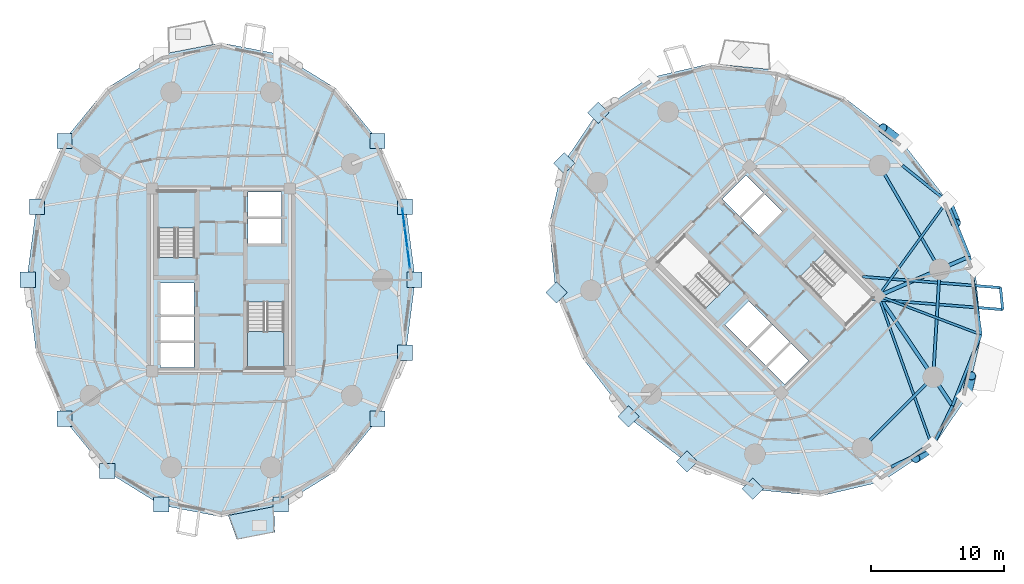
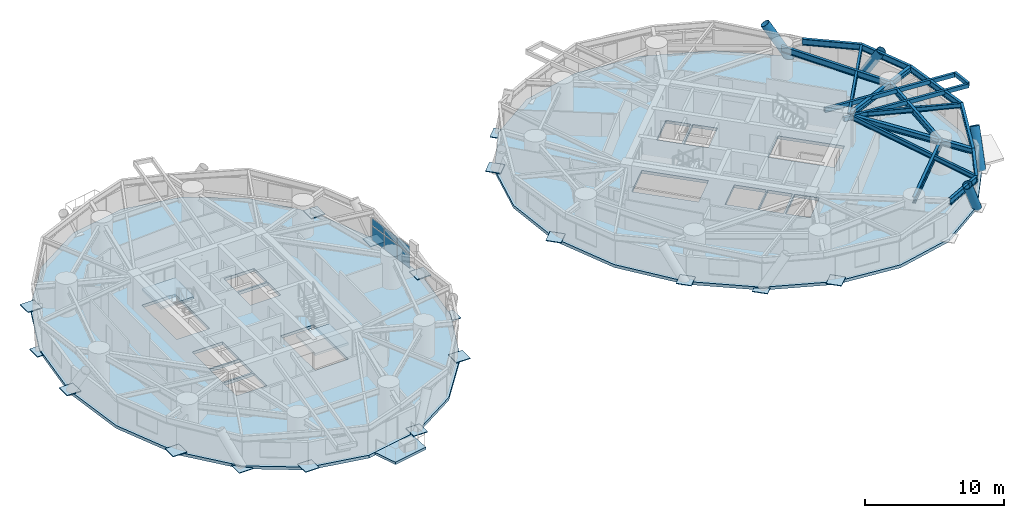
# One storey, part 8 of 18: 24 plates, 17 beams, 5 slabs, 4 members, 3 elements without a shape of their own.
"""IFC4 building model written with IfcOpenShell, lengths in metres."""

from ifc_helpers import new_model, si_unit, direction, frame, origin, origin_2d, place, context, subcontext, project, spatial, polyline, rectangle, hollow_rectangle, hollow_circle, i_section, outline, extrude, source, transform, mapped, material, layer, layer_set, material_profile, profile_set, type_object, element, aggregate, save


model = new_model("IFC4")

# Units and contexts
model_context = context("Model", 3, precision=1e-05, world=origin(), true_north=direction((0.0, 1.0)))
body_context = subcontext(model_context, "Body", "Model", "MODEL_VIEW")
ifc_project = project(units=[si_unit("LENGTHUNIT", "METRE"), si_unit("AREAUNIT", "SQUARE_METRE"), si_unit("VOLUMEUNIT", "CUBIC_METRE"), si_unit("PLANEANGLEUNIT", "RADIAN"), si_unit("MASSUNIT", "GRAM", prefix="KILO")], contexts=[model_context])

# Site, building, storey
site_placement = place(None, origin())
site = spatial("IfcSite", under=ifc_project, at=site_placement, CompositionType="ELEMENT")
building_placement = place(site_placement, origin())
building = spatial("IfcBuilding", under=site, at=building_placement, Name="Cununo Teusaquillo Station Towers", CompositionType="ELEMENT")
storey_placement = place(building_placement, frame((0.0, 0.0, 22.0)))
storey = spatial("IfcBuildingStorey", under=building, at=storey_placement, Name="L05", CompositionType="ELEMENT", Elevation=22.0)

# Beams
ifc_material_1 = material(Name="Steel EN 10025-2 S355J2", Category="steel")
ifc_material_profile_1 = material_profile(ifc_material_1, hollow_rectangle(XDim=0.199951171875, YDim=0.35009765625, WallThickness=0.013916015625, at=origin_2d()), Name="RHS 350x200x14")
ifc_profile_set_1 = profile_set([ifc_material_profile_1], Name="Steel EN 10025-2 S355J2")
beam_type_1 = type_object("IfcBeamType", Name="BM-BAL-CANT", PredefinedType="BEAM", material=ifc_profile_set_1)
beam_1_placement = place(storey_placement, frame((65.45361328125, 23.049072265625, 2.47509765625), z_axis=(0.996851966177, -0.079285292015, 0.0), x_axis=(0.079285292015, 0.996851966177, 0.0)))
element("IfcBeam", 1, at=beam_1_placement, inside=storey, type_object=beam_type_1, Name="L05 Tower B Balcony Cantilever Bracket 2A", PredefinedType="BEAM", context=body_context, shape_type="SweptSolid", body=[
    extrude(hollow_rectangle(XDim=0.199951171875, YDim=0.35009765625, WallThickness=0.013916015625, at=origin_2d()), origin(), (0.0, 0.0, 1.0), 9.958251953125),
])
beam_2_placement = place(storey_placement, frame((64.83056640625, 24.735595703125, 2.47509765625), z_axis=(0.996851384895, -0.07929260011, 0.0), x_axis=(0.07929260011, 0.996851384895, 0.0)))
element("IfcBeam", 2, at=beam_2_placement, inside=storey, type_object=beam_type_1, Name="L05 Tower B Balcony Cantilever Bracket 2B", PredefinedType="BEAM", context=body_context, shape_type="SweptSolid", body=[
    extrude(hollow_rectangle(XDim=0.199951171875, YDim=0.35009765625, WallThickness=0.013916015625, at=origin_2d()), origin(), (0.0, 0.0, 1.0), 10.419189453125),
])
ifc_material_2 = material(Name="Steel ASTM A572 Grade 50", Category="steel")
ifc_material_profile_2 = material_profile(ifc_material_2, i_section(OverallWidth=0.180908203125, OverallDepth=0.4169921875, WebThickness=0.010986328125, FlangeThickness=0.018310546875, FilletRadius=0.012939453125, at=origin_2d()), Name="W16X57")
ifc_profile_set_2 = profile_set([ifc_material_profile_2], Name="Steel ASTM A572 Grade 50")
beam_type_2 = type_object("IfcBeamType", Name="BM-JOIST-1", PredefinedType="JOIST", material=ifc_profile_set_2)
beam_3_placement = place(storey_placement, frame((66.024169921875, 23.29443359375, 2.44140625), z_axis=(0.335830426812, -0.941922462004, 0.0), x_axis=(0.941922462004, 0.335830426812, 0.0)))
element("IfcBeam", 3, at=beam_3_placement, inside=storey, type_object=beam_type_2, Name="L05 Tower B Radial Spandrel Joist V15", PredefinedType="JOIST", context=body_context, shape_type="SweptSolid", body=[
    extrude(i_section(OverallWidth=0.180908203125, OverallDepth=0.4169921875, WebThickness=0.010986328125, FlangeThickness=0.018310546875, FilletRadius=0.012939453125, at=origin_2d()), origin(), (0.0, 0.0, 1.0), 12.074951171875),
])
beam_4_placement = place(storey_placement, frame((66.024169921875, 23.29443359375, 2.44140625), z_axis=(0.935351694296, -0.353719108867, 0.0), x_axis=(0.353719108867, 0.935351694296, 0.0)))
element("IfcBeam", 4, at=beam_4_placement, inside=storey, type_object=beam_type_2, Name="L05 Tower B Radial Spandrel Joist V17", PredefinedType="JOIST", context=body_context, shape_type="SweptSolid", body=[
    extrude(i_section(OverallWidth=0.180908203125, OverallDepth=0.4169921875, WebThickness=0.010986328125, FlangeThickness=0.018310546875, FilletRadius=0.012939453125, at=origin_2d()), origin(), (0.0, 0.0, 1.0), 8.24169921875),
])
beam_5_placement = place(storey_placement, frame((66.024169921875, 23.29443359375, 2.44140625), z_axis=(0.587127729658, 0.80949430453, 0.0), x_axis=(-0.80949430453, 0.587127729658, 0.0)))
element("IfcBeam", 5, at=beam_5_placement, inside=storey, type_object=beam_type_2, Name="L05 Tower B Radial Spandrel Joist V19", PredefinedType="JOIST", context=body_context, shape_type="SweptSolid", body=[
    extrude(i_section(OverallWidth=0.180908203125, OverallDepth=0.4169921875, WebThickness=0.010986328125, FlangeThickness=0.018310546875, FilletRadius=0.012939453125, at=origin_2d()), origin(), (0.0, 0.0, 1.0), 8.792236328125),
])
ifc_material_3 = material(Name="Steel ASTM A572 Grade 50", Category="steel")
ifc_material_profile_3 = material_profile(ifc_material_3, i_section(OverallWidth=0.280029296875, OverallDepth=0.462890625, WebThickness=0.0107421875, FlangeThickness=0.017333984375, FilletRadius=0.013916015625, at=origin_2d()), Name="W18X76")
ifc_profile_set_3 = profile_set([ifc_material_profile_3], Name="Steel ASTM A572 Grade 50")
beam_type_3 = type_object("IfcBeamType", Name="BM-RAD-G1", PredefinedType="BEAM", material=ifc_profile_set_3)
beam_6_placement = place(storey_placement, frame((66.024169921875, 23.29443359375, 2.41845703125), z_axis=(0.558566040042, -0.829460052631, 0.0), x_axis=(0.829460052631, 0.558566040042, 0.0)))
element("IfcBeam", 6, at=beam_6_placement, inside=storey, type_object=beam_type_3, Name="L05 Tower B Continuous Overhanging Radial Girder 09", PredefinedType="BEAM", context=body_context, shape_type="SweptSolid", body=[
    extrude(i_section(OverallWidth=0.280029296875, OverallDepth=0.462890625, WebThickness=0.0107421875, FlangeThickness=0.017333984375, FilletRadius=0.013916015625, at=origin_2d()), origin(), (0.0, 0.0, 1.0), 9.982177734375),
])
beam_7_placement = place(storey_placement, frame((66.024169921875, 23.29443359375, 2.41845703125), z_axis=(0.917655022043, 0.397377981926, 0.0), x_axis=(-0.397377981926, 0.917655022043, 0.0)))
element("IfcBeam", 7, at=beam_7_placement, inside=storey, type_object=beam_type_3, Name="L05 Tower B Continuous Overhanging Radial Girder 10", PredefinedType="BEAM", context=body_context, shape_type="SweptSolid", body=[
    extrude(i_section(OverallWidth=0.280029296875, OverallDepth=0.462890625, WebThickness=0.0107421875, FlangeThickness=0.017333984375, FilletRadius=0.013916015625, at=origin_2d()), origin(), (0.0, 0.0, 1.0), 7.46533203125),
])
ifc_material_4 = material(Name="Steel ASTM A572 Grade 50", Category="steel")
ifc_material_profile_4 = material_profile(ifc_material_4, i_section(OverallWidth=0.214111328125, OverallDepth=0.549072265625, WebThickness=0.0146484375, FlangeThickness=0.023681640625, FilletRadius=0.014892578125, at=origin_2d()), Name="W21X93")
ifc_profile_set_4 = profile_set([ifc_material_profile_4], Name="Steel ASTM A572 Grade 50")
beam_type_4 = type_object("IfcBeamType", Name="BM-RING-Z1", PredefinedType="SPANDREL", material=ifc_profile_set_4)
beam_8_placement = place(storey_placement, frame((64.826904296875, 11.853759765625, 2.37548828125), z_axis=(0.707106781187, 0.707106781187, 0.0), x_axis=(-0.707106781187, 0.707106781187, 0.0)))
element("IfcBeam", 8, at=beam_8_placement, inside=storey, type_object=beam_type_4, Name="L05 Tower B Structural Column Ring Girder 08", PredefinedType="SPANDREL", context=body_context, shape_type="SweptSolid", body=[
    extrude(i_section(OverallWidth=0.214111328125, OverallDepth=0.549072265625, WebThickness=0.0146484375, FlangeThickness=0.023681640625, FilletRadius=0.014892578125, at=origin_2d()), origin(), (0.0, 0.0, 1.0), 7.522705078125),
])
beam_9_placement = place(storey_placement, frame((70.146240234375, 17.173095703125, 2.37548828125), z_axis=(0.06012979176, 0.998190567048, 0.0), x_axis=(-0.998190567048, 0.06012979176, 0.0)))
element("IfcBeam", 9, at=beam_9_placement, inside=storey, type_object=beam_type_4, Name="L05 Tower B Structural Column Ring Girder 09", PredefinedType="SPANDREL", context=body_context, shape_type="SweptSolid", body=[
    extrude(i_section(OverallWidth=0.214111328125, OverallDepth=0.549072265625, WebThickness=0.0146484375, FlangeThickness=0.023681640625, FilletRadius=0.014892578125, at=origin_2d()), origin(), (0.0, 0.0, 1.0), 8.132568359375),
])
beam_10_placement = place(storey_placement, frame((70.63525390625, 25.291015625, 2.37548828125), z_axis=(-0.501311121078, 0.865267103202, 0.0), x_axis=(-0.865267103202, -0.501311121078, 0.0)))
element("IfcBeam", 10, at=beam_10_placement, inside=storey, type_object=beam_type_4, Name="L05 Tower B Structural Column Ring Girder 10", PredefinedType="SPANDREL", context=body_context, shape_type="SweptSolid", body=[
    extrude(i_section(OverallWidth=0.214111328125, OverallDepth=0.549072265625, WebThickness=0.0146484375, FlangeThickness=0.023681640625, FilletRadius=0.014892578125, at=origin_2d()), origin(), (0.0, 0.0, 1.0), 9.032958984375),
])
for number, where, z_axis, x_axis, name in (
    (11, (66.9853515625, 10.400146484375, 2.37548828125), (0.89747957949, 0.4410560105, 0.0), (-0.4410560105, 0.89747957949, 0.0), "L05 Tower B Spandrel Ring Beam 15"),
    (12, (70.079345703125, 11.920654296875, 2.37548828125), (0.4410560105, 0.89747957949, 0.0), (-0.89747957949, 0.4410560105, 0.0), "L05 Tower B Spandrel Ring Beam 16"),
):
    element("IfcBeam", number, at=place(storey_placement, frame(where, z_axis=z_axis, x_axis=x_axis)), inside=storey, type_object=beam_type_4, Name=name, PredefinedType="SPANDREL", context=body_context, shape_type="SweptSolid", body=[
        extrude(i_section(OverallWidth=0.214111328125, OverallDepth=0.549072265625, WebThickness=0.0146484375, FlangeThickness=0.023681640625, FilletRadius=0.014892578125, at=origin_2d()), origin(), (0.0, 0.0, 1.0), 3.447509765625),
    ])
beam_11_placement = place(storey_placement, frame((71.599853515625, 15.0146484375, 2.37548828125), z_axis=(0.369523366373, 0.929221438466, 0.0), x_axis=(-0.929221438466, 0.369523366373, 0.0)))
element("IfcBeam", 13, at=beam_11_placement, inside=storey, type_object=beam_type_4, Name="L05 Tower B Spandrel Ring Beam 17", PredefinedType="SPANDREL", context=body_context, shape_type="SweptSolid", body=[
    extrude(i_section(OverallWidth=0.214111328125, OverallDepth=0.549072265625, WebThickness=0.0146484375, FlangeThickness=0.023681640625, FilletRadius=0.014892578125, at=origin_2d()), origin(), (0.0, 0.0, 1.0), 5.773193359375),
])
beam_12_placement = place(storey_placement, frame((73.733154296875, 20.379150390625, 2.37548828125), z_axis=(-0.144410786586, 0.989517824356, 0.0), x_axis=(-0.989517824356, -0.144410786586, 0.0)))
element("IfcBeam", 14, at=beam_12_placement, inside=storey, type_object=beam_type_4, Name="L05 Tower B Spandrel Ring Beam 18", PredefinedType="SPANDREL", context=body_context, shape_type="SweptSolid", body=[
    extrude(i_section(OverallWidth=0.214111328125, OverallDepth=0.549072265625, WebThickness=0.0146484375, FlangeThickness=0.023681640625, FilletRadius=0.014892578125, at=origin_2d()), origin(), (0.0, 0.0, 1.0), 5.944091796875),
])
beam_13_placement = place(storey_placement, frame((72.874755859375, 26.260986328125, 2.37548828125), z_axis=(-0.376813976218, 0.926288954553, 0.0), x_axis=(-0.926288954553, -0.376813976218, 0.0)))
element("IfcBeam", 15, at=beam_13_placement, inside=storey, type_object=beam_type_4, Name="L05 Tower B Spandrel Ring Beam 19", PredefinedType="SPANDREL", context=body_context, shape_type="SweptSolid", body=[
    extrude(i_section(OverallWidth=0.214111328125, OverallDepth=0.549072265625, WebThickness=0.0146484375, FlangeThickness=0.023681640625, FilletRadius=0.014892578125, at=origin_2d()), origin(), (0.0, 0.0, 1.0), 4.48095703125),
])
beam_14_placement = place(storey_placement, frame((71.186279296875, 30.41162109375, 2.37548828125), z_axis=(-0.779218846052, 0.626751936541, 0.0), x_axis=(-0.626751936541, -0.779218846052, 0.0)))
element("IfcBeam", 16, at=beam_14_placement, inside=storey, type_object=beam_type_4, Name="L05 Tower B Spandrel Ring Beam 20", PredefinedType="SPANDREL", context=body_context, shape_type="SweptSolid", body=[
    extrude(i_section(OverallWidth=0.214111328125, OverallDepth=0.549072265625, WebThickness=0.0146484375, FlangeThickness=0.023681640625, FilletRadius=0.014892578125, at=origin_2d()), origin(), (0.0, 0.0, 1.0), 4.323486328125),
])
ifc_material_5 = material(Name="Steel EN 10025-2 S355J2", Category="steel")
ifc_material_profile_5 = material_profile(ifc_material_5, hollow_rectangle(XDim=0.199951171875, YDim=0.35009765625, WallThickness=0.013916015625, at=origin_2d()), Name="RHS 350x200x14")
ifc_profile_set_5 = profile_set([ifc_material_profile_5], Name="Steel EN 10025-2 S355J2")
beam_type_5 = type_object("IfcBeamType", Name="BM-STAIR-TRIM", PredefinedType="BEAM", material=ifc_profile_set_5)
beam_15_placement = place(storey_placement, frame((75.380615234375, 22.259521484375, 2.52490234375), z_axis=(-0.098658084026, 0.995121390814, 0.0), x_axis=(-0.995121390814, -0.098658084026, 0.0)))
element("IfcBeam", 17, at=beam_15_placement, inside=storey, type_object=beam_type_5, Name="L05 Tower B Balcony Edge Trimmer Beam 2", PredefinedType="BEAM", context=body_context, shape_type="SweptSolid", body=[
    extrude(hollow_rectangle(XDim=0.199951171875, YDim=0.35009765625, WallThickness=0.013916015625, at=origin_2d()), origin(), (0.0, 0.0, 1.0), 1.657958984375),
])

# Members
ifc_material_6 = material(Name="Steel EN 10025-2 S355J2", Category="steel")
ifc_material_profile_6 = material_profile(ifc_material_6, hollow_circle(Radius=0.360107421875, WallThickness=0.028076171875, at=origin_2d()), Name="CHS 720x28")
ifc_profile_set_6 = profile_set([ifc_material_profile_6], Name="Steel EN 10025-2 S355J2")
member_type = type_object("IfcMemberType", Name="MBR-DIAG-Z1", PredefinedType="BRACE", material=ifc_profile_set_6)
member_1_placement = place(storey_placement, frame((67.80322265625, 34.80322265625, -0.139892578125), z_axis=(-0.424672158483, 0.327144879926, 0.844174025511), x_axis=(-0.610266107982, -0.792196489167, 0.0)))
element("IfcMember", 18, at=member_1_placement, inside=storey, type_object=member_type, Name="L05 Tower B Folded-Zigzag Diagrid Tube C00", PredefinedType="BRACE", context=body_context, shape_type="SweptSolid", body=[
    extrude(hollow_circle(Radius=0.360107421875, WallThickness=0.028076171875, at=origin_2d()), origin(), (0.0, 0.0, 1.0), 3.447021484375),
])
member_2_placement = place(storey_placement, frame((70.079345703125, 11.920654296875, -0.139892578125), z_axis=(-0.38526306798, -0.260481507501, 0.885280606758), x_axis=(0.56010632365, -0.828420730189, 0.0)))
element("IfcMember", 19, at=member_2_placement, inside=storey, type_object=member_type, Name="L05 Tower B Folded-Zigzag Diagrid Tube C14", PredefinedType="BRACE", context=body_context, shape_type="SweptSolid", body=[
    extrude(hollow_circle(Radius=0.360107421875, WallThickness=0.028076171875, at=origin_2d()), origin(), (0.0, 0.0, 1.0), 3.287109375),
])
member_3_placement = place(storey_placement, frame((72.647705078125, 15.72021484375, -0.139892578125), z_axis=(0.109041000071, 0.468022807997, 0.876963346725), x_axis=(-0.973916822154, 0.226905318414, 0.0)))
element("IfcMember", 20, at=member_3_placement, inside=storey, type_object=member_type, Name="L05 Tower B Folded-Zigzag Diagrid Tube C16", PredefinedType="BRACE", context=body_context, shape_type="SweptSolid", body=[
    extrude(hollow_circle(Radius=0.360107421875, WallThickness=0.028076171875, at=origin_2d()), origin(), (0.0, 0.0, 1.0), 3.318115234375),
])
member_4_placement = place(storey_placement, frame((71.186279296875, 30.41162109375, -0.139892578125), z_axis=(0.19926976465, -0.484849273185, 0.851594236235), x_axis=(0.924929123977, 0.380139600173, 0.0)))
element("IfcMember", 21, at=member_4_placement, inside=storey, type_object=member_type, Name="L05 Tower B Folded-Zigzag Diagrid Tube C18", PredefinedType="BRACE", context=body_context, shape_type="SweptSolid", body=[
    extrude(hollow_circle(Radius=0.360107421875, WallThickness=0.028076171875, at=origin_2d()), origin(), (0.0, 0.0, 1.0), 3.4169921875),
])

# Slab
ifc_material_7 = material(Name="Concrete C50/60", Category="concrete")
ifc_layer_1 = layer(ifc_material_7, 0.2099609375)
ifc_layer_set_1 = layer_set([ifc_layer_1], Name="Concrete C50/60")
slab_type_1 = type_object("IfcSlabType", Name="SLB-BAL-210", PredefinedType="FLOOR", material=ifc_layer_set_1)
slab_1_placement = place(storey_placement, frame((0.0, 0.0, -0.2099609375)))
element("IfcSlab", 22, at=slab_1_placement, inside=storey, type_object=slab_type_1, Name="L05 Tower A Tree Balcony Slab 2", PredefinedType="FLOOR", context=body_context, shape_type="SweptSolid", body=[
    extrude(outline(polyline([(17.041015625, 6.74951171875), (20.482177734375, 7.414306640625), (20.55078125, 5.477294921875), (17.69873046875, 4.926025390625), (17.041015625, 6.74951171875)])), origin(), (0.0, 0.0, 1.0), 0.2099609375),
])

# Stair, slab
ifc_material_8 = material(Name="Concrete C50/60", Category="concrete")
stair_type = type_object("IfcStairType", Name="ST-TWR-1300", PredefinedType="HALF_TURN_STAIR", material=ifc_material_8)
stair_1_placement = place(storey_placement, origin())
stair_1 = element("IfcStair", 23, at=stair_1_placement, inside=storey, type_object=stair_type, Name="L05 Tower A Protected Core Exit Stair 1", PredefinedType="HALF_TURN_STAIR")
ifc_material_9 = material(Name="Concrete C50/60", Category="concrete")
ifc_layer_2 = layer(ifc_material_9, 0.199951171875)
ifc_layer_set_2 = layer_set([ifc_layer_2], Name="Concrete C50/60")
slab_type_2 = type_object("IfcSlabType", Name="SLB-STAIR-LND", PredefinedType="LANDING", material=ifc_layer_set_2)
slab_2_placement = place(storey_placement, frame((0.0, 0.0, 1.2548828125)))
slab_2 = element("IfcSlab", 24, at=slab_2_placement, type_object=slab_type_2, Name="ST-T1-1 landing 1", PredefinedType="LANDING", context=body_context, shape_type="SweptSolid", body=[
    extrude(outline(polyline([(14.52001953125, 28.409912109375), (14.52001953125, 31.159912109375), (11.760009765625, 31.159912109375), (11.760009765625, 28.409912109375), (14.52001953125, 28.409912109375)])), origin(), (0.0, 0.0, 1.0), 0.2001953125),
])
aggregate(stair_1, [slab_2])

stair_2_placement = place(storey_placement, origin())
stair_2 = element("IfcStair", 25, at=stair_2_placement, inside=storey, type_object=stair_type, Name="L05 Tower A Protected Core Exit Stair 2", PredefinedType="HALF_TURN_STAIR")
slab_3_placement = place(storey_placement, frame((0.0, 0.0, 1.2548828125)))
slab_3 = element("IfcSlab", 26, at=slab_3_placement, type_object=slab_type_2, Name="ST-T1-2 landing 1", PredefinedType="LANDING", context=body_context, shape_type="SweptSolid", body=[
    extrude(outline(polyline([(18.47998046875, 20.590087890625), (18.47998046875, 17.840087890625), (21.239990234375, 17.840087890625), (21.239990234375, 20.590087890625), (18.47998046875, 20.590087890625)])), origin(), (0.0, 0.0, 1.0), 0.2001953125),
])
aggregate(stair_2, [slab_3])

# Slabs
ifc_material_10 = material(Name="Concrete C50/60", Category="concrete")
ifc_layer_3 = layer(ifc_material_10, 0.260009765625)
ifc_layer_set_3 = layer_set([ifc_layer_3], Name="Concrete C50/60")
slab_type_3 = type_object("IfcSlabType", Name="SLB-Z1-260", PredefinedType="FLOOR", material=ifc_layer_set_3)
slab_4_placement = place(storey_placement, frame((0.0, 0.0, -0.260009765625)))
element("IfcSlab", 27, at=slab_4_placement, inside=storey, type_object=slab_type_3, Name="L05 Tower A Floor Slab", PredefinedType="FLOOR", context=body_context, shape_type="SweptSolid", body=[
    extrude(outline(polyline([(31.131103515625, 24.5), (30.414794921875, 30.01611328125), (28.336669921875, 34.991943359375), (25.099853515625, 38.94091796875), (21.021240234375, 41.476318359375), (16.5, 42.35009765625), (11.978759765625, 41.476318359375), (7.900146484375, 38.94091796875), (4.663330078125, 34.991943359375), (2.585205078125, 30.01611328125), (1.868896484375, 24.5), (2.585205078125, 18.98388671875), (4.663330078125, 14.008056640625), (7.900146484375, 10.05908203125), (11.978759765625, 7.523681640625), (16.5, 6.64990234375), (21.021240234375, 7.523681640625), (25.099853515625, 10.05908203125), (28.336669921875, 14.008056640625), (30.414794921875, 18.98388671875), (31.131103515625, 24.5)]), holes=[polyline([(14.52001953125, 26.176025390625), (14.52001953125, 31.159912109375), (11.760009765625, 31.159912109375), (11.760009765625, 26.176025390625), (14.52001953125, 26.176025390625)]), polyline([(18.47998046875, 22.823974609375), (18.47998046875, 17.840087890625), (21.239990234375, 17.840087890625), (21.239990234375, 22.823974609375), (18.47998046875, 22.823974609375)]), polyline([(11.949951171875, 21.85009765625), (14.47998046875, 21.85009765625), (14.47998046875, 24.25), (11.949951171875, 24.25), (11.949951171875, 21.85009765625)]), polyline([(11.949951171875, 17.89990234375), (14.47998046875, 17.89990234375), (14.47998046875, 19.75), (11.949951171875, 19.75), (11.949951171875, 17.89990234375)]), polyline([(11.949951171875, 19.89990234375), (14.47998046875, 19.89990234375), (14.47998046875, 21.75), (11.949951171875, 21.75), (11.949951171875, 19.89990234375)]), polyline([(18.52001953125, 27.25), (21.050048828125, 27.25), (21.050048828125, 29.10009765625), (18.52001953125, 29.10009765625), (18.52001953125, 27.25)]), polyline([(18.52001953125, 29.25), (21.050048828125, 29.25), (21.050048828125, 31.10009765625), (18.52001953125, 31.10009765625), (18.52001953125, 29.25)])]), origin(), (0.0, 0.0, 1.0), 0.260009765625),
])
slab_5_placement = place(storey_placement, frame((0.0, 0.0, -0.260009765625)))
element("IfcSlab", 28, at=slab_5_placement, inside=storey, type_object=slab_type_3, Name="L05 Tower B Floor Slab", PredefinedType="FLOOR", context=body_context, shape_type="SweptSolid", body=[
    extrude(outline(polyline([(67.845703125, 34.845703125), (63.43896484375, 38.23974609375), (58.45068359375, 40.288818359375), (53.36962890625, 40.79248046875), (48.69287109375, 39.701171875), (44.878173828125, 37.121826171875), (42.298828125, 33.30712890625), (41.20751953125, 28.63037109375), (41.711181640625, 23.54931640625), (43.76025390625, 18.56103515625), (47.154296875, 14.154296875), (51.56103515625, 10.76025390625), (56.54931640625, 8.711181640625), (61.63037109375, 8.20751953125), (66.30712890625, 9.298828125), (70.121826171875, 11.878173828125), (72.701171875, 15.69287109375), (73.79248046875, 20.36962890625), (73.288818359375, 25.45068359375), (71.23974609375, 30.43896484375), (67.845703125, 34.845703125)]), holes=[polyline([(54.914794921875, 24.28515625), (51.390625, 27.809326171875), (49.43896484375, 25.857666015625), (52.963134765625, 22.33349609375), (54.914794921875, 24.28515625)]), polyline([(60.085205078125, 24.71484375), (63.609375, 21.190673828125), (65.56103515625, 23.142333984375), (62.036865234375, 26.66650390625), (60.085205078125, 24.71484375)]), polyline([(56.156494140625, 19.40869140625), (57.945556640625, 21.19775390625), (56.248291015625, 22.89501953125), (54.45947265625, 21.10595703125), (56.156494140625, 19.40869140625)]), polyline([(58.94970703125, 16.61572265625), (60.738525390625, 18.40478515625), (59.430419921875, 19.712890625), (57.641357421875, 17.923828125), (58.94970703125, 16.61572265625)]), polyline([(57.535400390625, 18.030029296875), (59.32421875, 19.819091796875), (58.01611328125, 21.127197265625), (56.227294921875, 19.338134765625), (57.535400390625, 18.030029296875)]), polyline([(56.98388671875, 27.872802734375), (58.772705078125, 29.661865234375), (57.464599609375, 30.969970703125), (55.67578125, 29.180908203125), (56.98388671875, 27.872802734375)]), polyline([(55.569580078125, 29.287109375), (57.358642578125, 31.076171875), (56.05029296875, 32.38427734375), (54.261474609375, 30.59521484375), (55.569580078125, 29.287109375)])]), origin(), (0.0, 0.0, 1.0), 0.260009765625),
])

# Plates
ifc_material_11 = material(Name="Steel ASTM A572 Grade 50", Category="steel")
ifc_layer_4 = layer(ifc_material_11, 0.06005859375)
ifc_layer_set_4 = layer_set([ifc_layer_4], Name="Steel ASTM A572 Grade 50")
plate_type_1 = type_object("IfcPlateType", Name="PLT-NODE-BDN1", PredefinedType="USERDEFINED", material=ifc_layer_set_4)
shared_shape_1 = source(origin(), body_context, "Body", "SweptSolid", [
    extrude(rectangle(XDim=1.14990234375, YDim=1.14990234375, at=origin_2d()), origin(), (0.0, 0.0, 1.0), 0.06005859375),
])
for number, where, z_axis, x_axis, name in (
    (29, (31.071044921875, 24.5, 0.02001953125), (0.0, 0.0, 1.0), (1.0, 0.0, 0.0), "L05 Tower A Diagrid Base Shoe Node BDN1 V00"),
    (30, (28.2880859375, 34.956787109375, 0.02001953125), (0.0, 0.0, 1.0), (1.0, 0.0, 0.0), "L05 Tower A Diagrid Base Shoe Node BDN1 V02"),
    (31, (4.7119140625, 34.956787109375, 0.02001953125), (0.0, 0.0, 1.0), (1.0, 0.0, 0.0), "L05 Tower A Diagrid Base Shoe Node BDN1 V08"),
    (32, (1.928955078125, 24.5, 0.02001953125), (0.0, 0.0, 1.0), (1.0, 0.0, 0.0), "L05 Tower A Diagrid Base Shoe Node BDN1 V10"),
    (33, (4.7119140625, 14.043212890625, 0.02001953125), (0.0, 0.0, 1.0), (1.0, 0.0, 0.0), "L05 Tower A Diagrid Base Shoe Node BDN1 V12"),
    (34, (11.997314453125, 7.580810546875, 0.02001953125), (0.0, 0.0, 1.0), (1.0, 0.0, 0.0), "L05 Tower A Diagrid Base Shoe Node BDN1 V14"),
    (35, (21.002685546875, 7.580810546875, 0.02001953125), (0.0, 0.0, 1.0), (1.0, 0.0, 0.0), "L05 Tower A Diagrid Base Shoe Node BDN1 V16"),
    (36, (28.2880859375, 14.043212890625, 0.02001953125), (0.0, 0.0, 1.0), (1.0, 0.0, 0.0), "L05 Tower A Diagrid Base Shoe Node BDN1 V18"),
    (37, (30.35791015625, 29.997314453125, -0.169921875), (0.0, 0.0, 1.0), (1.0, 0.0, 0.0), "L05 Tower A Diagrid Foot Base Plate C01"),
    (38, (2.64208984375, 29.997314453125, -0.169921875), (0.0, 0.0, 1.0), (1.0, 0.0, 0.0), "L05 Tower A Diagrid Foot Base Plate C08"),
    (39, (7.935302734375, 10.107666015625, -0.169921875), (0.0, 0.0, 1.0), (1.0, 0.0, 0.0), "L05 Tower A Diagrid Foot Base Plate C12"),
    (40, (30.35791015625, 19.002685546875, -0.169921875), (0.0, 0.0, 1.0), (1.0, 0.0, 0.0), "L05 Tower A Diagrid Foot Base Plate C18"),
    (41, (42.352294921875, 33.27978515625, 0.02001953125), (0.0, 0.0, 1.0), (0.707106781187, 0.707106781187, 0.0), "L05 Tower B Diagrid Base Shoe Node BDN1 V06"),
    (42, (41.7705078125, 23.55859375, 0.02001953125), (0.0, 0.0, 1.0), (0.707106781187, 0.707106781187, 0.0), "L05 Tower B Diagrid Base Shoe Node BDN1 V08"),
    (43, (47.19677734375, 14.19677734375, 0.02001953125), (0.0, 0.0, 1.0), (0.707106781187, 0.707106781187, 0.0), "L05 Tower B Diagrid Base Shoe Node BDN1 V10"),
    (44, (56.55859375, 8.7705078125, 0.02001953125), (0.0, 0.0, 1.0), (0.707106781187, 0.707106781187, 0.0), "L05 Tower B Diagrid Base Shoe Node BDN1 V12"),
    (45, (44.920654296875, 37.079345703125, -0.169921875), (0.0, 0.0, 1.0), (0.707106781187, 0.707106781187, 0.0), "L05 Tower B Diagrid Foot Base Plate C04"),
    (46, (51.58837890625, 10.813720703125, -0.169921875), (0.0, 0.0, 1.0), (0.707106781187, 0.707106781187, 0.0), "L05 Tower B Diagrid Foot Base Plate C11"),
):
    element("IfcPlate", number, at=place(storey_placement, frame(where, z_axis=z_axis, x_axis=x_axis)), inside=storey, type_object=plate_type_1, Name=name, ObjectType="BASE PLATE", PredefinedType="USERDEFINED", context=body_context, shape_type="MappedRepresentation", body=[
        mapped(shared_shape_1, transform((0.0, 0.0, 0.0), x_axis=(1.0, 0.0, 0.0), y_axis=(0.0, 1.0, 0.0), z_axis=(0.0, 0.0, 1.0), scale=1.0)),
    ])

# Curtain wall, plates
ifc_material_12 = material(Name="Ceramic-fritted dark low-E double glazing", Category="glass")
ifc_layer_5 = layer(ifc_material_12, 0.179931640625)
ifc_layer_set_5 = layer_set([ifc_layer_5], Name="Ceramic-fritted dark low-E double glazing")
curtain_wall_type = type_object("IfcCurtainWallType", Name="CW-SYS-02", PredefinedType="USERDEFINED", material=ifc_layer_set_5)
curtain_wall_placement = place(storey_placement, origin())
curtain_wall = element("IfcCurtainWall", 47, at=curtain_wall_placement, inside=storey, type_object=curtain_wall_type, Name="L05 Tower A Facade Curtain Wall C00", ObjectType="FRITTED GLAZING", PredefinedType="USERDEFINED")
ifc_material_13 = material(Name="Ceramic-fritted dark low-E double glazing", Category="glass")
ifc_layer_6 = layer(ifc_material_13, 0.028076171875)
ifc_layer_set_6 = layer_set([ifc_layer_6], Name="Ceramic-fritted dark low-E double glazing")
plate_type_2 = type_object("IfcPlateType", Name="CWP-FRIT-28", PredefinedType="CURTAIN_PANEL", material=ifc_layer_set_6)
shared_shape_2 = source(origin(), body_context, "Body", "SweptSolid", [
    extrude(rectangle(XDim=1.4365234375, YDim=0.028076171875, at=origin_2d()), origin(), (0.0, 0.0, 1.0), 1.241943359375),
])
plate_1_placement = place(storey_placement, frame((30.249755859375, 29.147705078125, 0.06982421875), z_axis=(0.0, 0.0, 1.0), x_axis=(0.128291742659, -0.991736471431, 0.0)))
plate_1 = element("IfcPlate", 48, at=plate_1_placement, type_object=plate_type_2, Name="CW-02 panel 1.1", PredefinedType="CURTAIN_PANEL", context=body_context, shape_type="MappedRepresentation", body=[
    mapped(shared_shape_2, transform((0.0, 0.0, 0.0), x_axis=(1.0, 0.0, 0.0), y_axis=(0.0, 1.0, 0.0), z_axis=(0.0, 0.0, 1.0), scale=1.0)),
])
plate_2_placement = place(storey_placement, frame((30.640869140625, 26.124755859375, 0.06982421875), z_axis=(0.0, 0.0, 1.0), x_axis=(0.128291742659, -0.991736471431, 0.0)))
plate_2 = element("IfcPlate", 49, at=plate_2_placement, type_object=plate_type_2, Name="CW-02 panel 3.1", PredefinedType="CURTAIN_PANEL", context=body_context, shape_type="MappedRepresentation", body=[
    mapped(shared_shape_2, transform((0.0, 0.0, 0.0), x_axis=(1.0, 0.0, 0.0), y_axis=(0.0, 1.0, 0.0), z_axis=(0.0, 0.0, 1.0), scale=1.0)),
])
shared_shape_3 = source(origin(), body_context, "Body", "SweptSolid", [
    extrude(rectangle(XDim=1.4365234375, YDim=0.028076171875, at=origin_2d()), origin(), (0.0, 0.0, 1.0), 0.62109375),
])
plate_3_placement = place(storey_placement, frame((30.249755859375, 29.147705078125, 1.3818359375), z_axis=(0.0, 0.0, 1.0), x_axis=(0.128291742659, -0.991736471431, 0.0)))
plate_3 = element("IfcPlate", 50, at=plate_3_placement, type_object=plate_type_2, Name="CW-02 panel 1.2", PredefinedType="CURTAIN_PANEL", context=body_context, shape_type="MappedRepresentation", body=[
    mapped(shared_shape_3, transform((0.0, 0.0, 0.0), x_axis=(1.0, 0.0, 0.0), y_axis=(0.0, 1.0, 0.0), z_axis=(0.0, 0.0, 1.0), scale=1.0)),
])
plate_4_placement = place(storey_placement, frame((30.640869140625, 26.124755859375, 1.3818359375), z_axis=(0.0, 0.0, 1.0), x_axis=(0.128291742659, -0.991736471431, 0.0)))
plate_4 = element("IfcPlate", 51, at=plate_4_placement, type_object=plate_type_2, Name="CW-02 panel 3.2", PredefinedType="CURTAIN_PANEL", context=body_context, shape_type="MappedRepresentation", body=[
    mapped(shared_shape_3, transform((0.0, 0.0, 0.0), x_axis=(1.0, 0.0, 0.0), y_axis=(0.0, 1.0, 0.0), z_axis=(0.0, 0.0, 1.0), scale=1.0)),
])
shared_shape_4 = source(origin(), body_context, "Body", "SweptSolid", [
    extrude(rectangle(XDim=1.471435546875, YDim=0.028076171875, at=origin_2d()), origin(), (0.0, 0.0, 1.0), 1.241943359375),
])
plate_5_placement = place(storey_placement, frame((30.4453125, 27.63623046875, 0.06982421875), z_axis=(0.0, 0.0, 1.0), x_axis=(0.128291742659, -0.991736471431, 0.0)))
plate_5 = element("IfcPlate", 52, at=plate_5_placement, type_object=plate_type_2, Name="CW-02 panel 2.1", PredefinedType="CURTAIN_PANEL", context=body_context, shape_type="MappedRepresentation", body=[
    mapped(shared_shape_4, transform((0.0, 0.0, 0.0), x_axis=(1.0, 0.0, 0.0), y_axis=(0.0, 1.0, 0.0), z_axis=(0.0, 0.0, 1.0), scale=1.0)),
])
shared_shape_5 = source(origin(), body_context, "Body", "SweptSolid", [
    extrude(rectangle(XDim=1.471435546875, YDim=0.028076171875, at=origin_2d()), origin(), (0.0, 0.0, 1.0), 0.62109375),
])
plate_6_placement = place(storey_placement, frame((30.4453125, 27.63623046875, 1.3818359375), z_axis=(0.0, 0.0, 1.0), x_axis=(0.128291742659, -0.991736471431, 0.0)))
plate_6 = element("IfcPlate", 53, at=plate_6_placement, type_object=plate_type_2, Name="CW-02 panel 2.2", PredefinedType="CURTAIN_PANEL", context=body_context, shape_type="MappedRepresentation", body=[
    mapped(shared_shape_5, transform((0.0, 0.0, 0.0), x_axis=(1.0, 0.0, 0.0), y_axis=(0.0, 1.0, 0.0), z_axis=(0.0, 0.0, 1.0), scale=1.0)),
])
aggregate(curtain_wall, [plate_1, plate_3, plate_5, plate_6, plate_2, plate_4])

save(model, "model.ifc")
